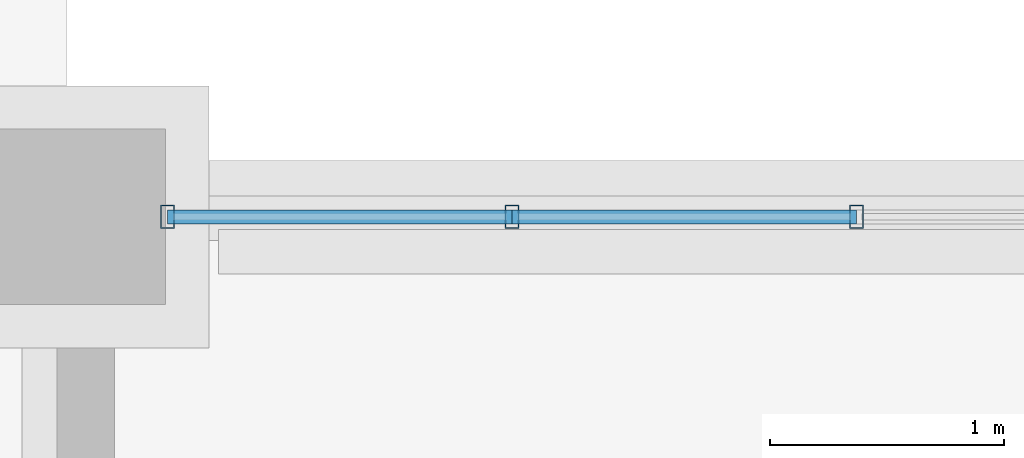
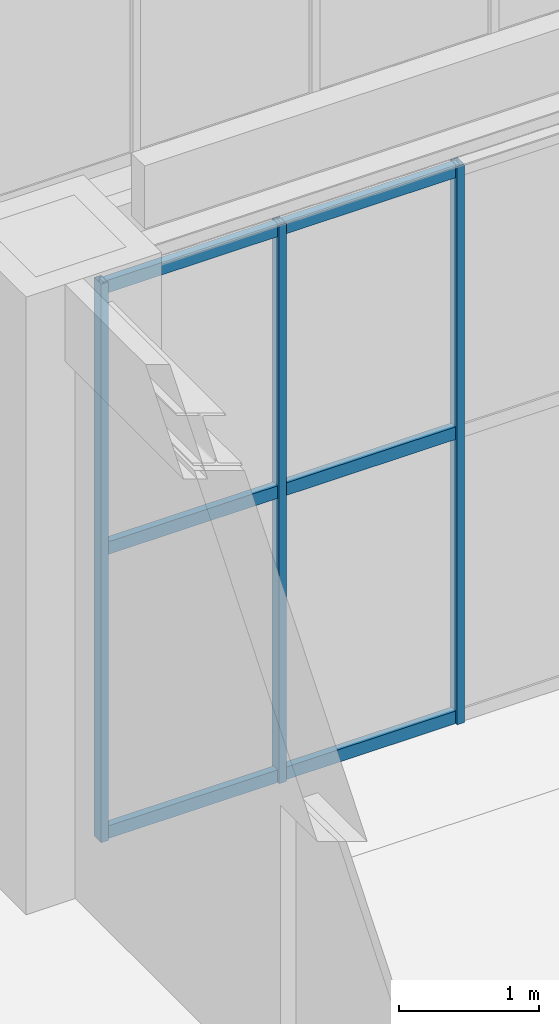
# One storey, part 47 of 164: 9 members, 1 element without a shape of its own.
"""IFC4 building model written with IfcOpenShell, lengths in metres."""

from ifc_helpers import new_model, si_unit, direction, frame, origin, origin_2d, place, context, subcontext, project, spatial, hollow_rectangle, extrude, material, material_profile, profile_set, type_object, element, aggregate, save


model = new_model("IFC4")

# Units and contexts
model_context = context("Model", 3, precision=1e-05, world=origin(), true_north=direction((0.0, 1.0)))
body_context = subcontext(model_context, "Body", "Model", "MODEL_VIEW")
ifc_project = project(units=[si_unit("LENGTHUNIT", "METRE"), si_unit("AREAUNIT", "SQUARE_METRE"), si_unit("VOLUMEUNIT", "CUBIC_METRE"), si_unit("PLANEANGLEUNIT", "RADIAN"), si_unit("MASSUNIT", "GRAM", prefix="KILO")], contexts=[model_context])

# Site, building, storey
site_placement = place(None, origin())
site = spatial("IfcSite", under=ifc_project, at=site_placement, CompositionType="ELEMENT")
building_placement = place(site_placement, origin())
building = spatial("IfcBuilding", under=site, at=building_placement, Name="Mavantir Sound Aquarium", CompositionType="ELEMENT")
storey_placement = place(building_placement, origin())
storey = spatial("IfcBuildingStorey", under=building, at=storey_placement, Name="L00", CompositionType="ELEMENT", Elevation=0.0)

# Curtain wall, members
ifc_material_1 = material(Name="Anodised Marine Aluminium and Low-E Glass", Category="aluminium")
curtain_wall_type = type_object("IfcCurtainWallType", Name="CW-T05", PredefinedType="USERDEFINED", material=ifc_material_1)
curtain_wall_placement = place(storey_placement, origin())
curtain_wall = element("IfcCurtainWall", 1, at=curtain_wall_placement, inside=storey, type_object=curtain_wall_type, Name="L00 unitised curtain wall CW-05 53", ObjectType="UNITISED GLAZING", PredefinedType="USERDEFINED")
ifc_material_2 = material(Name="Anodised Marine Aluminium 6063-T6", Category="aluminium")
ifc_material_profile_1 = material_profile(ifc_material_2, hollow_rectangle(XDim=0.06005859375, YDim=0.10009765625, WallThickness=0.00390625, at=origin_2d()), Name="ALU-MULLION-100X60")
ifc_profile_set_1 = profile_set([ifc_material_profile_1], Name="Anodised Marine Aluminium 6063-T6")
member_type_1 = type_object("IfcMemberType", Name="CW-MUL-100", PredefinedType="MULLION", material=ifc_profile_set_1)
member_1_placement = place(storey_placement, frame((111.32763671875, 28.800048828125, 0.0), z_axis=(0.0, 0.0, 1.0), x_axis=(1.0, 0.0, 0.0)))
member_1 = element("IfcMember", 2, at=member_1_placement, type_object=member_type_1, Name="CW-L00-053 vertical mullion 5", PredefinedType="MULLION", context=body_context, shape_type="SweptSolid", body=[
    extrude(hollow_rectangle(XDim=0.06005859375, YDim=0.10009765625, WallThickness=0.00390625, at=origin_2d()), origin(), (0.0, 0.0, 1.0), 4.883056640625),
])
member_2_placement = place(storey_placement, frame((109.855224609375, 28.800048828125, 0.0), z_axis=(0.0, 0.0, 1.0), x_axis=(1.0, 0.0, 0.0)))
member_2 = element("IfcMember", 3, at=member_2_placement, type_object=member_type_1, Name="CW-L00-053 vertical mullion 6", PredefinedType="MULLION", context=body_context, shape_type="SweptSolid", body=[
    extrude(hollow_rectangle(XDim=0.06005859375, YDim=0.10009765625, WallThickness=0.00390625, at=origin_2d()), origin(), (0.0, 0.0, 1.0), 4.883056640625),
])
member_3_placement = place(storey_placement, frame((108.383056640625, 28.800048828125, 0.0), z_axis=(0.0, 0.0, 1.0), x_axis=(1.0, 0.0, 0.0)))
member_3 = element("IfcMember", 4, at=member_3_placement, type_object=member_type_1, Name="CW-L00-053 vertical mullion 7", PredefinedType="MULLION", context=body_context, shape_type="SweptSolid", body=[
    extrude(hollow_rectangle(XDim=0.06005859375, YDim=0.10009765625, WallThickness=0.00390625, at=origin_2d()), origin(), (0.0, 0.0, 1.0), 4.883056640625),
])
ifc_material_profile_2 = material_profile(ifc_material_2, hollow_rectangle(XDim=0.06005859375, YDim=0.110107421875, WallThickness=0.00390625, at=origin_2d()), Name="ALU-TRANSOM-110X60")
ifc_profile_set_2 = profile_set([ifc_material_profile_2], Name="Anodised Marine Aluminium 6063-T6")
member_type_2 = type_object("IfcMemberType", Name="CW-TRN-110", PredefinedType="USERDEFINED", material=ifc_profile_set_2)
member_4_placement = place(storey_placement, frame((111.32763671875, 28.800048828125, 0.054931640625), z_axis=(-1.0, 0.0, 0.0), x_axis=(0.0, -1.0, 0.0)))
member_4 = element("IfcMember", 5, at=member_4_placement, type_object=member_type_2, Name="CW-L00-053 transom 5.1", ObjectType="TRANSOM", PredefinedType="USERDEFINED", context=body_context, shape_type="SweptSolid", body=[
    extrude(hollow_rectangle(XDim=0.06005859375, YDim=0.110107421875, WallThickness=0.00390625, at=origin_2d()), origin(), (0.0, 0.0, 1.0), 1.472412109375),
])
member_5_placement = place(storey_placement, frame((111.32763671875, 28.800048828125, 2.539306640625), z_axis=(-1.0, 0.0, 0.0), x_axis=(0.0, -1.0, 0.0)))
member_5 = element("IfcMember", 6, at=member_5_placement, type_object=member_type_2, Name="CW-L00-053 transom 5.2", ObjectType="TRANSOM", PredefinedType="USERDEFINED", context=body_context, shape_type="SweptSolid", body=[
    extrude(hollow_rectangle(XDim=0.06005859375, YDim=0.110107421875, WallThickness=0.00390625, at=origin_2d()), origin(), (0.0, 0.0, 1.0), 1.472412109375),
])
member_6_placement = place(storey_placement, frame((111.32763671875, 28.800048828125, 4.827880859375), z_axis=(-1.0, 0.0, 0.0), x_axis=(0.0, -1.0, 0.0)))
member_6 = element("IfcMember", 7, at=member_6_placement, type_object=member_type_2, Name="CW-L00-053 transom 5.3", ObjectType="TRANSOM", PredefinedType="USERDEFINED", context=body_context, shape_type="SweptSolid", body=[
    extrude(hollow_rectangle(XDim=0.06005859375, YDim=0.110107421875, WallThickness=0.00390625, at=origin_2d()), origin(), (0.0, 0.0, 1.0), 1.472412109375),
])
member_7_placement = place(storey_placement, frame((109.855224609375, 28.800048828125, 0.054931640625), z_axis=(-1.0, 0.0, 0.0), x_axis=(0.0, -1.0, 0.0)))
member_7 = element("IfcMember", 8, at=member_7_placement, type_object=member_type_2, Name="CW-L00-053 transom 6.1", ObjectType="TRANSOM", PredefinedType="USERDEFINED", context=body_context, shape_type="SweptSolid", body=[
    extrude(hollow_rectangle(XDim=0.06005859375, YDim=0.110107421875, WallThickness=0.00390625, at=origin_2d()), origin(), (0.0, 0.0, 1.0), 1.47216796875),
])
member_8_placement = place(storey_placement, frame((109.855224609375, 28.800048828125, 2.539306640625), z_axis=(-1.0, 0.0, 0.0), x_axis=(0.0, -1.0, 0.0)))
member_8 = element("IfcMember", 9, at=member_8_placement, type_object=member_type_2, Name="CW-L00-053 transom 6.2", ObjectType="TRANSOM", PredefinedType="USERDEFINED", context=body_context, shape_type="SweptSolid", body=[
    extrude(hollow_rectangle(XDim=0.06005859375, YDim=0.110107421875, WallThickness=0.00390625, at=origin_2d()), origin(), (0.0, 0.0, 1.0), 1.47216796875),
])
member_9_placement = place(storey_placement, frame((109.855224609375, 28.800048828125, 4.827880859375), z_axis=(-1.0, 0.0, 0.0), x_axis=(0.0, -1.0, 0.0)))
member_9 = element("IfcMember", 10, at=member_9_placement, type_object=member_type_2, Name="CW-L00-053 transom 6.3", ObjectType="TRANSOM", PredefinedType="USERDEFINED", context=body_context, shape_type="SweptSolid", body=[
    extrude(hollow_rectangle(XDim=0.06005859375, YDim=0.110107421875, WallThickness=0.00390625, at=origin_2d()), origin(), (0.0, 0.0, 1.0), 1.47216796875),
])
aggregate(curtain_wall, [member_1, member_2, member_3, member_4, member_5, member_6, member_7, member_8, member_9])

save(model, "model.ifc")
